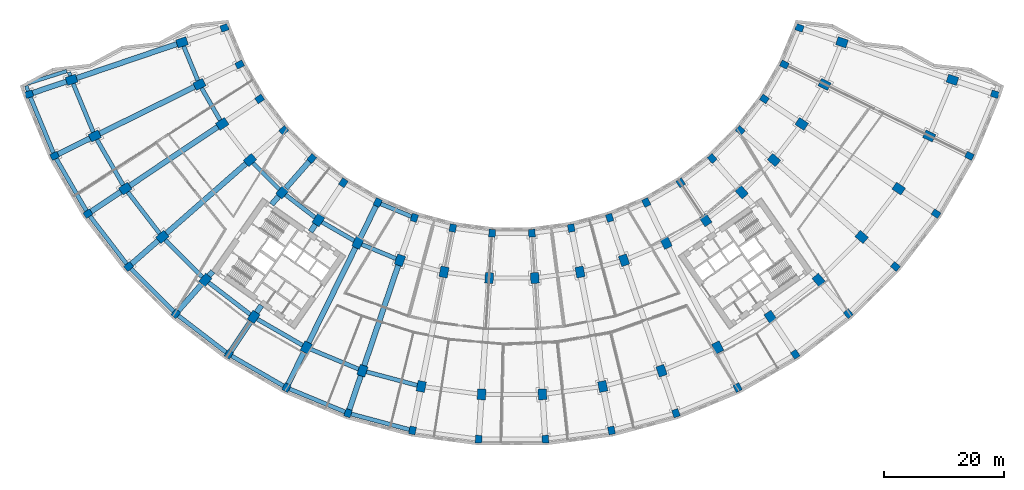
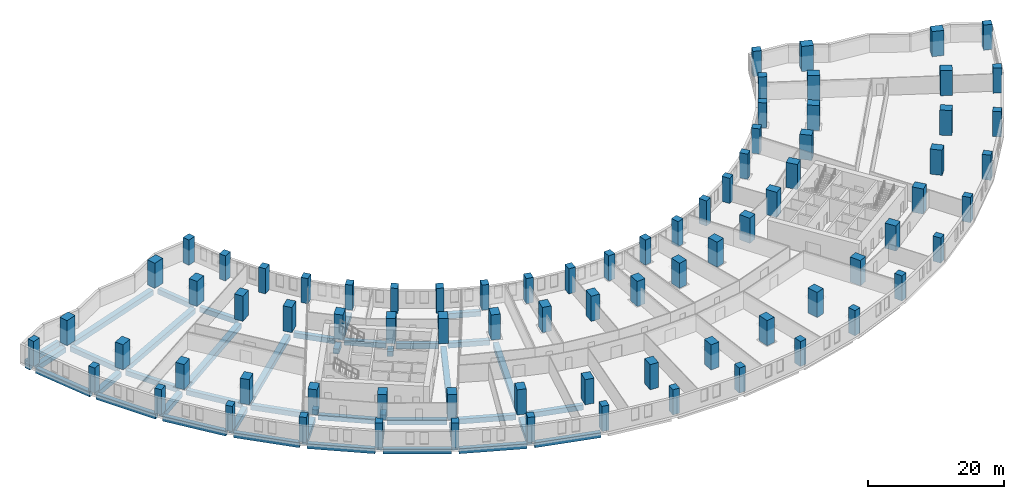
# One storey, part 1 of 20: 80 columns, 46 beams.
"""IFC4 building model written with IfcOpenShell, lengths in metres."""

from ifc_helpers import new_model, si_unit, direction, frame, origin, origin_2d, place, context, subcontext, project, spatial, rectangle, extrude, material, material_profile, profile_set, type_object, element, save


model = new_model("IFC4")

# Units and contexts
model_context = context("Model", 3, precision=1e-05, world=origin(), true_north=direction((0.0, 1.0)))
body_context = subcontext(model_context, "Body", "Model", "MODEL_VIEW")
ifc_project = project(units=[si_unit("LENGTHUNIT", "METRE"), si_unit("AREAUNIT", "SQUARE_METRE"), si_unit("VOLUMEUNIT", "CUBIC_METRE"), si_unit("PLANEANGLEUNIT", "RADIAN"), si_unit("MASSUNIT", "GRAM", prefix="KILO")], contexts=[model_context])

# Site, building, storey
site_placement = place(None, origin())
site = spatial("IfcSite", under=ifc_project, at=site_placement, CompositionType="ELEMENT")
building_placement = place(site_placement, origin())
building = spatial("IfcBuilding", under=site, at=building_placement, Name="Qamariyya Broadcast Tower", CompositionType="ELEMENT")
storey_placement = place(building_placement, frame((0.0, 0.0, 31.5)))
storey = spatial("IfcBuildingStorey", under=building, at=storey_placement, Name="L04", CompositionType="ELEMENT", Elevation=31.5)

# Columns
ifc_material_1 = material(Name="Concrete C70/85", Category="concrete")
ifc_material_profile_1 = material_profile(ifc_material_1, rectangle(XDim=1.10009765625, YDim=1.300048828125, at=origin_2d()))
ifc_profile_set_1 = profile_set([ifc_material_profile_1], Name="Concrete C70/85")
column_type_1 = type_object("IfcColumnType", Name="RC column 1100 x 1300 C70/85", PredefinedType="COLUMN", material=ifc_profile_set_1)
for number, where, z_axis, x_axis, name in (
    (1, (-48.056640625, -16.31298828125, 0.0), (0.0, 0.0, 1.0), (0.321439465303, -0.946930129495, 0.0), "Column C3 L04 A-R01"),
    (2, (-80.725830078125, -27.40283203125, 0.0), (0.0, 0.0, 1.0), (0.321439465303, -0.946930129495, 0.0), "Column C3 L04 D-R01"),
    (3, (-45.516357421875, -22.446044921875, 0.0), (0.0, 0.0, 1.0), (0.442288690219, -0.896872741533, 0.0), "Column C3 L04 A-R02"),
    (4, (-76.45849609375, -37.705078125, 0.0), (0.0, 0.0, 1.0), (0.442288690219, -0.896872741533, 0.0), "Column C3 L04 D-R02"),
    (5, (-42.197021484375, -28.195068359375, 0.0), (0.0, 0.0, 1.0), (0.55557023302, -0.831469612303, 0.0), "Column C3 L04 A-R03"),
    (6, (-70.8828125, -47.3623046875, 0.0), (0.0, 0.0, 1.0), (0.55557023302, -0.831469612303, 0.0), "Column C3 L04 D-R03"),
    (7, (-38.15576171875, -33.4619140625, 0.0), (0.0, 0.0, 1.0), (0.6593458151, -0.751839807479, 0.0), "Column C3 L04 A-R04"),
    (8, (-64.09423828125, -56.209228515625, 0.0), (0.0, 0.0, 1.0), (0.6593458151, -0.751839807479, 0.0), "Column C3 L04 D-R04"),
    (9, (-33.4619140625, -38.15576171875, 0.0), (0.0, 0.0, 1.0), (0.751839807479, -0.6593458151, 0.0), "Column C3 L04 A-R05"),
    (10, (-56.209228515625, -64.09423828125, 0.0), (0.0, 0.0, 1.0), (0.751839807479, -0.6593458151, 0.0), "Column C3 L04 D-R05"),
    (11, (-28.195068359375, -42.197021484375, 0.0), (0.0, 0.0, 1.0), (0.831469612303, -0.55557023302, 0.0), "Column C3 L04 A-R06"),
    (12, (-47.3623046875, -70.8828125, 0.0), (0.0, 0.0, 1.0), (0.831469612303, -0.55557023302, 0.0), "Column C3 L04 D-R06"),
    (13, (-22.446044921875, -45.516357421875, 0.0), (0.0, 0.0, 1.0), (0.896872741533, -0.442288690219, 0.0), "Column C3 L04 A-R07"),
    (14, (-37.705078125, -76.45849609375, 0.0), (0.0, 0.0, 1.0), (0.896872741533, -0.442288690219, 0.0), "Column C3 L04 D-R07"),
    (15, (-16.31298828125, -48.056640625, 0.0), (0.0, 0.0, 1.0), (0.946930129495, -0.321439465303, 0.0), "Column C3 L04 A-R08"),
    (16, (-27.40283203125, -80.725830078125, 0.0), (0.0, 0.0, 1.0), (0.946930129495, -0.321439465303, 0.0), "Column C3 L04 D-R08"),
    (17, (-9.90087890625, -49.77490234375, 0.0), (0.0, 0.0, 1.0), (0.980785280403, -0.195090322016, 0.0), "Column C3 L04 A-R09"),
    (18, (-16.63134765625, -83.612060546875, 0.0), (0.0, 0.0, 1.0), (0.980785280403, -0.195090322016, 0.0), "Column C3 L04 D-R09"),
    (19, (-3.319091796875, -50.641357421875, 0.0), (0.0, 0.0, 1.0), (0.997858923239, -0.06540312923, 0.0), "Column C3 L04 A-R10"),
    (20, (-5.57568359375, -85.0673828125, 0.0), (0.0, 0.0, 1.0), (0.997858923239, -0.06540312923, 0.0), "Column C3 L04 D-R10"),
    (21, (3.319091796875, -50.641357421875, 0.0), (0.0, 0.0, 1.0), (0.997858923239, 0.06540312923, 0.0), "Column C3 L04 A-R11"),
    (22, (5.57568359375, -85.0673828125, 0.0), (0.0, 0.0, 1.0), (0.997858923239, 0.06540312923, 0.0), "Column C3 L04 D-R11"),
    (23, (9.90087890625, -49.77490234375, 0.0), (0.0, 0.0, 1.0), (0.980785280403, 0.195090322016, 0.0), "Column C3 L04 A-R12"),
    (24, (16.63134765625, -83.612060546875, 0.0), (0.0, 0.0, 1.0), (0.980785280403, 0.195090322016, 0.0), "Column C3 L04 D-R12"),
    (25, (16.31298828125, -48.056640625, 0.0), (0.0, 0.0, 1.0), (0.946930129495, 0.321439465303, 0.0), "Column C3 L04 A-R13"),
    (26, (27.40283203125, -80.725830078125, 0.0), (0.0, 0.0, 1.0), (0.946930129495, 0.321439465303, 0.0), "Column C3 L04 D-R13"),
    (27, (22.446044921875, -45.516357421875, 0.0), (0.0, 0.0, 1.0), (0.896872741533, 0.442288690219, 0.0), "Column C3 L04 A-R14"),
    (28, (37.705078125, -76.45849609375, 0.0), (0.0, 0.0, 1.0), (0.896872741533, 0.442288690219, 0.0), "Column C3 L04 D-R14"),
    (29, (28.195068359375, -42.197021484375, 0.0), (0.0, 0.0, 1.0), (0.831469612303, 0.55557023302, 0.0), "Column C3 L04 A-R15"),
    (30, (47.3623046875, -70.8828125, 0.0), (0.0, 0.0, 1.0), (0.831469612303, 0.55557023302, 0.0), "Column C3 L04 D-R15"),
    (31, (33.4619140625, -38.15576171875, 0.0), (0.0, 0.0, 1.0), (0.751839807479, 0.6593458151, 0.0), "Column C3 L04 A-R16"),
    (32, (56.209228515625, -64.09423828125, 0.0), (0.0, 0.0, 1.0), (0.751839807479, 0.6593458151, 0.0), "Column C3 L04 D-R16"),
    (33, (38.15576171875, -33.4619140625, 0.0), (0.0, 0.0, 1.0), (0.6593458151, 0.751839807479, 0.0), "Column C3 L04 A-R17"),
    (34, (64.09423828125, -56.209228515625, 0.0), (0.0, 0.0, 1.0), (0.6593458151, 0.751839807479, 0.0), "Column C3 L04 D-R17"),
    (35, (42.197021484375, -28.195068359375, 0.0), (0.0, 0.0, 1.0), (0.55557023302, 0.831469612303, 0.0), "Column C3 L04 A-R18"),
    (36, (70.8828125, -47.3623046875, 0.0), (0.0, 0.0, 1.0), (0.55557023302, 0.831469612303, 0.0), "Column C3 L04 D-R18"),
    (37, (45.516357421875, -22.446044921875, 0.0), (0.0, 0.0, 1.0), (0.442288690219, 0.896872741533, 0.0), "Column C3 L04 A-R19"),
    (38, (76.45849609375, -37.705078125, 0.0), (0.0, 0.0, 1.0), (0.442288690219, 0.896872741533, 0.0), "Column C3 L04 D-R19"),
    (39, (48.056640625, -16.31298828125, 0.0), (0.0, 0.0, 1.0), (0.321439465303, 0.946930129495, 0.0), "Column C3 L04 A-R20"),
    (40, (80.725830078125, -27.40283203125, 0.0), (0.0, 0.0, 1.0), (0.321439465303, 0.946930129495, 0.0), "Column C3 L04 D-R20"),
):
    element("IfcColumn", number, at=place(storey_placement, frame(where, z_axis=z_axis, x_axis=x_axis)), inside=storey, type_object=column_type_1, Name=name, PredefinedType="COLUMN", context=body_context, shape_type="SweptSolid", body=[
        extrude(rectangle(XDim=1.10009765625, YDim=1.300048828125, at=origin_2d()), origin(), (0.0, 0.0, 1.0), 4.5),
    ])
ifc_material_profile_2 = material_profile(ifc_material_1, rectangle(XDim=1.39990234375, YDim=1.800048828125, at=origin_2d()))
ifc_profile_set_2 = profile_set([ifc_material_profile_2], Name="Concrete C70/85")
column_type_2 = type_object("IfcColumnType", Name="RC column 1400 x 1800 C70/85", PredefinedType="COLUMN", material=ifc_profile_set_2)
for number, where, z_axis, x_axis, name in (
    (41, (-55.15869140625, -18.723876953125, 0.0), (0.0, 0.0, 1.0), (0.321439465303, -0.946930129495, 0.0), "Column C4 L04 B-R01"),
    (42, (-73.623779296875, -24.991943359375, 0.0), (0.0, 0.0, 1.0), (0.321439465303, -0.946930129495, 0.0), "Column C4 L04 C-R01"),
    (43, (-52.242919921875, -25.763427734375, 0.0), (0.0, 0.0, 1.0), (0.442288690219, -0.896872741533, 0.0), "Column C4 L04 B-R02"),
    (44, (-69.73193359375, -34.387939453125, 0.0), (0.0, 0.0, 1.0), (0.442288690219, -0.896872741533, 0.0), "Column C4 L04 C-R02"),
    (45, (-48.43310546875, -32.362060546875, 0.0), (0.0, 0.0, 1.0), (0.55557023302, -0.831469612303, 0.0), "Column C4 L04 B-R03"),
    (46, (-64.646728515625, -43.195556640625, 0.0), (0.0, 0.0, 1.0), (0.55557023302, -0.831469612303, 0.0), "Column C4 L04 C-R03"),
    (47, (-43.794677734375, -38.406982421875, 0.0), (0.0, 0.0, 1.0), (0.6593458151, -0.751839807479, 0.0), "Column C4 L04 B-R04"),
    (48, (-58.45556640625, -51.26416015625, 0.0), (0.0, 0.0, 1.0), (0.6593458151, -0.751839807479, 0.0), "Column C4 L04 C-R04"),
    (49, (-38.406982421875, -43.794677734375, 0.0), (0.0, 0.0, 1.0), (0.751839807479, -0.6593458151, 0.0), "Column C4 L04 B-R05"),
    (50, (-51.26416015625, -58.45556640625, 0.0), (0.0, 0.0, 1.0), (0.751839807479, -0.6593458151, 0.0), "Column C4 L04 C-R05"),
    (51, (-32.362060546875, -48.43310546875, 0.0), (0.0, 0.0, 1.0), (0.831469612303, -0.55557023302, 0.0), "Column C4 L04 B-R06"),
    (52, (-43.195556640625, -64.646728515625, 0.0), (0.0, 0.0, 1.0), (0.831469612303, -0.55557023302, 0.0), "Column C4 L04 C-R06"),
    (53, (-25.763427734375, -52.242919921875, 0.0), (0.0, 0.0, 1.0), (0.896872741533, -0.442288690219, 0.0), "Column C4 L04 B-R07"),
    (54, (-34.387939453125, -69.73193359375, 0.0), (0.0, 0.0, 1.0), (0.896872741533, -0.442288690219, 0.0), "Column C4 L04 C-R07"),
    (55, (-18.723876953125, -55.15869140625, 0.0), (0.0, 0.0, 1.0), (0.946930129495, -0.321439465303, 0.0), "Column C4 L04 B-R08"),
    (56, (-24.991943359375, -73.623779296875, 0.0), (0.0, 0.0, 1.0), (0.946930129495, -0.321439465303, 0.0), "Column C4 L04 C-R08"),
    (57, (-11.364013671875, -57.130859375, 0.0), (0.0, 0.0, 1.0), (0.980785280403, -0.195090322016, 0.0), "Column C4 L04 B-R09"),
    (58, (-15.168212890625, -76.256103515625, 0.0), (0.0, 0.0, 1.0), (0.980785280403, -0.195090322016, 0.0), "Column C4 L04 C-R09"),
    (59, (-3.809814453125, -58.125244140625, 0.0), (0.0, 0.0, 1.0), (0.997858923239, -0.06540312923, 0.0), "Column C4 L04 B-R10"),
    (60, (-5.085205078125, -77.58349609375, 0.0), (0.0, 0.0, 1.0), (0.997858923239, -0.06540312923, 0.0), "Column C4 L04 C-R10"),
    (61, (3.809814453125, -58.125244140625, 0.0), (0.0, 0.0, 1.0), (0.997858923239, 0.06540312923, 0.0), "Column C4 L04 B-R11"),
    (62, (5.085205078125, -77.58349609375, 0.0), (0.0, 0.0, 1.0), (0.997858923239, 0.06540312923, 0.0), "Column C4 L04 C-R11"),
    (63, (11.364013671875, -57.130859375, 0.0), (0.0, 0.0, 1.0), (0.980785280403, 0.195090322016, 0.0), "Column C4 L04 B-R12"),
    (64, (15.168212890625, -76.256103515625, 0.0), (0.0, 0.0, 1.0), (0.980785280403, 0.195090322016, 0.0), "Column C4 L04 C-R12"),
    (65, (18.723876953125, -55.15869140625, 0.0), (0.0, 0.0, 1.0), (0.946930129495, 0.321439465303, 0.0), "Column C4 L04 B-R13"),
    (66, (24.991943359375, -73.623779296875, 0.0), (0.0, 0.0, 1.0), (0.946930129495, 0.321439465303, 0.0), "Column C4 L04 C-R13"),
    (67, (25.763427734375, -52.242919921875, 0.0), (0.0, 0.0, 1.0), (0.896872741533, 0.442288690219, 0.0), "Column C4 L04 B-R14"),
    (68, (34.387939453125, -69.73193359375, 0.0), (0.0, 0.0, 1.0), (0.896872741533, 0.442288690219, 0.0), "Column C4 L04 C-R14"),
    (69, (32.362060546875, -48.43310546875, 0.0), (0.0, 0.0, 1.0), (0.831469612303, 0.55557023302, 0.0), "Column C4 L04 B-R15"),
    (70, (43.195556640625, -64.646728515625, 0.0), (0.0, 0.0, 1.0), (0.831469612303, 0.55557023302, 0.0), "Column C4 L04 C-R15"),
    (71, (38.406982421875, -43.794677734375, 0.0), (0.0, 0.0, 1.0), (0.751839807479, 0.6593458151, 0.0), "Column C4 L04 B-R16"),
    (72, (51.26416015625, -58.45556640625, 0.0), (0.0, 0.0, 1.0), (0.751839807479, 0.6593458151, 0.0), "Column C4 L04 C-R16"),
    (73, (43.794677734375, -38.406982421875, 0.0), (0.0, 0.0, 1.0), (0.6593458151, 0.751839807479, 0.0), "Column C4 L04 B-R17"),
    (74, (58.45556640625, -51.26416015625, 0.0), (0.0, 0.0, 1.0), (0.6593458151, 0.751839807479, 0.0), "Column C4 L04 C-R17"),
    (75, (48.43310546875, -32.362060546875, 0.0), (0.0, 0.0, 1.0), (0.55557023302, 0.831469612303, 0.0), "Column C4 L04 B-R18"),
    (76, (64.646728515625, -43.195556640625, 0.0), (0.0, 0.0, 1.0), (0.55557023302, 0.831469612303, 0.0), "Column C4 L04 C-R18"),
    (77, (52.242919921875, -25.763427734375, 0.0), (0.0, 0.0, 1.0), (0.442288690219, 0.896872741533, 0.0), "Column C4 L04 B-R19"),
    (78, (69.73193359375, -34.387939453125, 0.0), (0.0, 0.0, 1.0), (0.442288690219, 0.896872741533, 0.0), "Column C4 L04 C-R19"),
    (79, (55.15869140625, -18.723876953125, 0.0), (0.0, 0.0, 1.0), (0.321439465303, 0.946930129495, 0.0), "Column C4 L04 B-R20"),
    (80, (73.623779296875, -24.991943359375, 0.0), (0.0, 0.0, 1.0), (0.321439465303, 0.946930129495, 0.0), "Column C4 L04 C-R20"),
):
    element("IfcColumn", number, at=place(storey_placement, frame(where, z_axis=z_axis, x_axis=x_axis)), inside=storey, type_object=column_type_2, Name=name, PredefinedType="COLUMN", context=body_context, shape_type="SweptSolid", body=[
        extrude(rectangle(XDim=1.39990234375, YDim=1.800048828125, at=origin_2d()), origin(), (0.0, 0.0, 1.0), 4.5),
    ])

# Beams
ifc_material_2 = material(Name="Concrete C50/60", Category="concrete")
ifc_material_profile_3 = material_profile(ifc_material_2, rectangle(XDim=0.699951171875, YDim=0.89990234375, at=origin_2d()))
ifc_profile_set_3 = profile_set([ifc_material_profile_3], Name="Concrete C50/60")
beam_type_1 = type_object("IfcBeamType", Name="RC edge beam 700 x 900 C50/60", PredefinedType="SPANDREL", material=ifc_profile_set_3)
beam_1_placement = place(storey_placement, frame((-21.93701171875, -45.727294921875, -0.85009765625), z_axis=(0.92389160204, -0.382654292645, 0.0), x_axis=(0.382654292645, 0.92389160204, 0.0)))
element("IfcBeam", 81, at=beam_1_placement, inside=storey, type_object=beam_type_1, Name="Edge beam B2 L04 A R07-R08", PredefinedType="SPANDREL", context=body_context, shape_type="SweptSolid", body=[
    extrude(rectangle(XDim=0.699951171875, YDim=0.89990234375, at=origin_2d()), origin(), (0.0, 0.0, 1.0), 5.5361328125),
])
for number, where, z_axis, x_axis, name in (
    (82, (-54.89013671875, -19.3720703125, -0.85009765625), (0.38268477858, -0.92387897489, 0.0), (0.92387897489, 0.38268477858, 0.0), "Edge beam B2 L04 B R01-R02"),
    (83, (-51.89208984375, -26.370849609375, -0.85009765625), (0.499995558535, -0.86602796805, 0.0), (0.86602796805, 0.499995558535, 0.0), "Edge beam B2 L04 B R02-R03"),
):
    element("IfcBeam", number, at=place(storey_placement, frame(where, z_axis=z_axis, x_axis=x_axis)), inside=storey, type_object=beam_type_1, Name=name, PredefinedType="SPANDREL", context=body_context, shape_type="SweptSolid", body=[
        extrude(rectangle(XDim=0.699951171875, YDim=0.89990234375, at=origin_2d()), origin(), (0.0, 0.0, 1.0), 6.21630859375),
    ])
for number, where, z_axis, x_axis, name in (
    (84, (-43.298583984375, -38.90283203125, -0.85009765625), (0.707106781187, -0.707106781187, 0.0), (0.707106781187, 0.707106781187, 0.0), "Edge beam B2 L04 B R04-R05"),
    (85, (-37.850341796875, -44.2216796875, -0.85009765625), (0.793349024913, -0.608767052878, 0.0), (0.608767052878, 0.793349024913, 0.0), "Edge beam B2 L04 B R05-R06"),
):
    element("IfcBeam", number, at=place(storey_placement, frame(where, z_axis=z_axis, x_axis=x_axis)), inside=storey, type_object=beam_type_1, Name=name, PredefinedType="SPANDREL", context=body_context, shape_type="SweptSolid", body=[
        extrude(rectangle(XDim=0.699951171875, YDim=0.89990234375, at=origin_2d()), origin(), (0.0, 0.0, 1.0), 6.216552734375),
    ])
for number, where, z_axis, x_axis, name in (
    (86, (-31.75439453125, -48.783935546875, -0.85009765625), (0.86602796805, -0.499995558535, 0.0), (0.499995558535, 0.86602796805, 0.0), "Edge beam B2 L04 B R06-R07"),
    (87, (-25.115234375, -52.51123046875, -0.85009765625), (0.92387897489, -0.38268477858, 0.0), (0.38268477858, 0.92387897489, 0.0), "Edge beam B2 L04 B R07-R08"),
):
    element("IfcBeam", number, at=place(storey_placement, frame(where, z_axis=z_axis, x_axis=x_axis)), inside=storey, type_object=beam_type_1, Name=name, PredefinedType="SPANDREL", context=body_context, shape_type="SweptSolid", body=[
        extrude(rectangle(XDim=0.699951171875, YDim=0.89990234375, at=origin_2d()), origin(), (0.0, 0.0, 1.0), 6.21630859375),
    ])
beam_2_placement = place(storey_placement, frame((-73.35546875, -25.64013671875, -0.85009765625), z_axis=(0.38270841035, -0.923869185896, 0.0), x_axis=(0.923869185896, 0.38270841035, 0.0)))
element("IfcBeam", 88, at=beam_2_placement, inside=storey, type_object=beam_type_1, Name="Edge beam B2 L04 C R01-R02", PredefinedType="SPANDREL", context=body_context, shape_type="SweptSolid", body=[
    extrude(rectangle(XDim=0.699951171875, YDim=0.89990234375, at=origin_2d()), origin(), (0.0, 0.0, 1.0), 8.76708984375),
])
beam_3_placement = place(storey_placement, frame((-69.381103515625, -34.995361328125, -0.85009765625), z_axis=(0.499987607361, -0.86603255856, 0.0), x_axis=(0.86603255856, 0.499987607361, 0.0)))
element("IfcBeam", 89, at=beam_3_placement, inside=storey, type_object=beam_type_1, Name="Edge beam B2 L04 C R02-R03", PredefinedType="SPANDREL", context=body_context, shape_type="SweptSolid", body=[
    extrude(rectangle(XDim=0.699951171875, YDim=0.89990234375, at=origin_2d()), origin(), (0.0, 0.0, 1.0), 8.767333984375),
])
for number, where, z_axis, x_axis, name in (
    (90, (-64.2197265625, -43.752197265625, -0.85009765625), (0.608772321187, -0.79334498231, 0.0), (0.79334498231, 0.608772321187, 0.0), "Edge beam B2 L04 C R03-R04"),
    (91, (-57.95947265625, -51.76025390625, -0.85009765625), (0.707106781187, -0.707106781187, 0.0), (0.707106781187, 0.707106781187, 0.0), "Edge beam B2 L04 C R04-R05"),
    (92, (-50.70751953125, -58.882568359375, -0.85009765625), (0.79334498231, -0.608772321187, 0.0), (0.608772321187, 0.79334498231, 0.0), "Edge beam B2 L04 C R05-R06"),
):
    element("IfcBeam", number, at=place(storey_placement, frame(where, z_axis=z_axis, x_axis=x_axis)), inside=storey, type_object=beam_type_1, Name=name, PredefinedType="SPANDREL", context=body_context, shape_type="SweptSolid", body=[
        extrude(rectangle(XDim=0.699951171875, YDim=0.89990234375, at=origin_2d()), origin(), (0.0, 0.0, 1.0), 8.76708984375),
    ])
beam_4_placement = place(storey_placement, frame((-42.588134765625, -64.99755859375, -0.85009765625), z_axis=(0.86603255856, -0.499987607361, 0.0), x_axis=(0.499987607361, 0.86603255856, 0.0)))
element("IfcBeam", 93, at=beam_4_placement, inside=storey, type_object=beam_type_1, Name="Edge beam B2 L04 C R06-R07", PredefinedType="SPANDREL", context=body_context, shape_type="SweptSolid", body=[
    extrude(rectangle(XDim=0.699951171875, YDim=0.89990234375, at=origin_2d()), origin(), (0.0, 0.0, 1.0), 8.767333984375),
])
for number, where, z_axis, x_axis, name in (
    (94, (-33.73974609375, -70.000244140625, -0.85009765625), (0.923869185896, -0.38270841035, 0.0), (0.38270841035, 0.923869185896, 0.0), "Edge beam B2 L04 C R07-R08"),
    (95, (-24.314208984375, -73.805419921875, -0.85009765625), (0.965926422845, -0.258816818714, 0.0), (0.258816818714, 0.965926422845, 0.0), "Edge beam B2 L04 C R08-R09"),
):
    element("IfcBeam", number, at=place(storey_placement, frame(where, z_axis=z_axis, x_axis=x_axis)), inside=storey, type_object=beam_type_1, Name=name, PredefinedType="SPANDREL", context=body_context, shape_type="SweptSolid", body=[
        extrude(rectangle(XDim=0.699951171875, YDim=0.89990234375, at=origin_2d()), origin(), (0.0, 0.0, 1.0), 8.76708984375),
    ])
for number, where, z_axis, x_axis, name in (
    (96, (-80.514892578125, -27.911865234375, -0.85009765625), (0.382677229034, -0.923882101991, 0.0), (0.923882101991, 0.382677229034, 0.0), "Edge beam B2 L04 D R01-R02"),
    (97, (-76.182861328125, -38.182373046875, -0.85009765625), (0.499995851058, -0.866027799164, 0.0), (0.866027799164, 0.499995851058, 0.0), "Edge beam B2 L04 D R02-R03"),
):
    element("IfcBeam", number, at=place(storey_placement, frame(where, z_axis=z_axis, x_axis=x_axis)), inside=storey, type_object=beam_type_1, Name=name, PredefinedType="SPANDREL", context=body_context, shape_type="SweptSolid", body=[
        extrude(rectangle(XDim=0.699951171875, YDim=0.89990234375, at=origin_2d()), origin(), (0.0, 0.0, 1.0), 10.048828125),
    ])
for number, where, z_axis, x_axis, name in (
    (98, (-70.54736328125, -47.799560546875, -0.85009765625), (0.608760468816, -0.793354077072, 0.0), (0.793354077072, 0.608760468816, 0.0), "Edge beam B2 L04 D R03-R04"),
    (99, (-63.70458984375, -56.598876953125, -0.85009765625), (0.707106781187, -0.707106781187, 0.0), (0.707106781187, 0.707106781187, 0.0), "Edge beam B2 L04 D R04-R05"),
    (100, (-55.77197265625, -64.429931640625, -0.85009765625), (0.793354077072, -0.608760468816, 0.0), (0.608760468816, 0.793354077072, 0.0), "Edge beam B2 L04 D R05-R06"),
):
    element("IfcBeam", number, at=place(storey_placement, frame(where, z_axis=z_axis, x_axis=x_axis)), inside=storey, type_object=beam_type_1, Name=name, PredefinedType="SPANDREL", context=body_context, shape_type="SweptSolid", body=[
        extrude(rectangle(XDim=0.699951171875, YDim=0.89990234375, at=origin_2d()), origin(), (0.0, 0.0, 1.0), 10.049072265625),
    ])
for number, where, z_axis, x_axis, name in (
    (101, (-46.885009765625, -71.158447265625, -0.85009765625), (0.866027799164, -0.499995851058, 0.0), (0.499995851058, 0.866027799164, 0.0), "Edge beam B2 L04 D R06-R07"),
    (102, (-37.19580078125, -76.66943359375, -0.85009765625), (0.923882101991, -0.382677229034, 0.0), (0.382677229034, 0.923882101991, 0.0), "Edge beam B2 L04 D R07-R08"),
    (103, (-26.870361328125, -80.868408203125, -0.85009765625), (0.96592657939, -0.258816234475, 0.0), (0.258816234475, 0.96592657939, 0.0), "Edge beam B2 L04 D R08-R09"),
):
    element("IfcBeam", number, at=place(storey_placement, frame(where, z_axis=z_axis, x_axis=x_axis)), inside=storey, type_object=beam_type_1, Name=name, PredefinedType="SPANDREL", context=body_context, shape_type="SweptSolid", body=[
        extrude(rectangle(XDim=0.699951171875, YDim=0.89990234375, at=origin_2d()), origin(), (0.0, 0.0, 1.0), 10.048828125),
    ])
ifc_material_profile_4 = material_profile(ifc_material_2, rectangle(XDim=0.60009765625, YDim=0.89990234375, at=origin_2d()))
ifc_profile_set_4 = profile_set([ifc_material_profile_4], Name="Concrete C50/60")
beam_type_2 = type_object("IfcBeamType", Name="RC horn beam 600 x 900 C50/60", PredefinedType="BEAM", material=ifc_profile_set_4)
beam_5_placement = place(storey_placement, frame((-73.841796875, -24.32666015625, -0.85009765625), z_axis=(-0.311677221784, 0.95018803898, 0.0), x_axis=(-0.95018803898, -0.311677221784, 0.0)))
element("IfcBeam", 104, at=beam_5_placement, inside=storey, type_object=beam_type_2, Name="Horn beam B3 L04 W C-R01", PredefinedType="BEAM", context=body_context, shape_type="SweptSolid", body=[
    extrude(rectangle(XDim=0.60009765625, YDim=0.89990234375, at=origin_2d()), origin(), (0.0, 0.0, 1.0), 0.628173828125),
])
beam_6_placement = place(storey_placement, frame((-80.897216796875, -26.880126953125, -0.85009765625), z_axis=(-0.31136908678, 0.95028905697, 0.0), x_axis=(-0.95028905697, -0.31136908678, 0.0)))
element("IfcBeam", 105, at=beam_6_placement, inside=storey, type_object=beam_type_2, Name="Horn beam B3 L04 W D-R01", PredefinedType="BEAM", context=body_context, shape_type="SweptSolid", body=[
    extrude(rectangle(XDim=0.60009765625, YDim=0.89990234375, at=origin_2d()), origin(), (0.0, 0.0, 1.0), 0.935302734375),
])
ifc_material_profile_5 = material_profile(ifc_material_2, rectangle(XDim=0.60009765625, YDim=0.89990234375, at=origin_2d()))
ifc_profile_set_5 = profile_set([ifc_material_profile_5], Name="Concrete C50/60")
beam_type_3 = type_object("IfcBeamType", Name="RC horn cap beam 600 x 900 C50/60", PredefinedType="BEAM", material=ifc_profile_set_5)
beam_7_placement = place(storey_placement, frame((-74.4169921875, -23.53515625, -0.85009765625), z_axis=(-0.953456380288, -0.301530978321, 0.0), x_axis=(0.301530978321, -0.953456380288, 0.0)))
element("IfcBeam", 106, at=beam_7_placement, inside=storey, type_object=beam_type_3, Name="Horn cap beam B4 L04 W C-D", PredefinedType="BEAM", context=body_context, shape_type="SweptSolid", body=[
    extrude(rectangle(XDim=0.60009765625, YDim=0.89990234375, at=origin_2d()), origin(), (0.0, 0.0, 1.0), 6.89990234375),
])
ifc_material_profile_6 = material_profile(ifc_material_2, rectangle(XDim=0.89990234375, YDim=0.89990234375, at=origin_2d()))
ifc_profile_set_6 = profile_set([ifc_material_profile_6], Name="Concrete C50/60")
beam_type_4 = type_object("IfcBeamType", Name="RC radial beam 900 x 900 C50/60", PredefinedType="BEAM", material=ifc_profile_set_6)
beam_8_placement = place(storey_placement, frame((-56.010986328125, -19.01318359375, -0.85009765625), z_axis=(-0.946929601856, -0.321441019674, 0.0), x_axis=(0.321441019674, -0.946929601856, 0.0)))
element("IfcBeam", 107, at=beam_8_placement, inside=storey, type_object=beam_type_4, Name="Radial beam B1 L04 R01 B-C", PredefinedType="BEAM", context=body_context, shape_type="SweptSolid", body=[
    extrude(rectangle(XDim=0.89990234375, YDim=0.89990234375, at=origin_2d()), origin(), (0.0, 0.0, 1.0), 17.699951171875),
])
beam_9_placement = place(storey_placement, frame((-74.47607421875, -25.28125, -0.85009765625), z_axis=(-0.946929197619, -0.32144221051, 0.0), x_axis=(0.32144221051, -0.946929197619, 0.0)))
element("IfcBeam", 108, at=beam_9_placement, inside=storey, type_object=beam_type_4, Name="Radial beam B1 L04 R01 C-D", PredefinedType="BEAM", context=body_context, shape_type="SweptSolid", body=[
    extrude(rectangle(XDim=0.89990234375, YDim=0.89990234375, at=origin_2d()), origin(), (0.0, 0.0, 1.0), 5.949951171875),
])
beam_10_placement = place(storey_placement, frame((-53.050048828125, -26.161376953125, -0.85009765625), z_axis=(-0.896868921808, -0.442296435771, 0.0), x_axis=(0.442296435771, -0.896868921808, 0.0)))
element("IfcBeam", 109, at=beam_10_placement, inside=storey, type_object=beam_type_4, Name="Radial beam B1 L04 R02 B-C", PredefinedType="BEAM", context=body_context, shape_type="SweptSolid", body=[
    extrude(rectangle(XDim=0.89990234375, YDim=0.89990234375, at=origin_2d()), origin(), (0.0, 0.0, 1.0), 17.699951171875),
])
beam_11_placement = place(storey_placement, frame((-70.5390625, -34.785888671875, -0.85009765625), z_axis=(-0.896859276255, -0.442315994054, 0.0), x_axis=(0.442315994054, -0.896859276255, 0.0)))
element("IfcBeam", 110, at=beam_11_placement, inside=storey, type_object=beam_type_4, Name="Radial beam B1 L04 R02 C-D", PredefinedType="BEAM", context=body_context, shape_type="SweptSolid", body=[
    extrude(rectangle(XDim=0.89990234375, YDim=0.89990234375, at=origin_2d()), origin(), (0.0, 0.0, 1.0), 5.9501953125),
])
beam_12_placement = place(storey_placement, frame((-49.181396484375, -32.862060546875, -0.85009765625), z_axis=(-0.831472648212, -0.555565689433, 0.0), x_axis=(0.555565689433, -0.831472648212, 0.0)))
element("IfcBeam", 111, at=beam_12_placement, inside=storey, type_object=beam_type_4, Name="Radial beam B1 L04 R03 B-C", PredefinedType="BEAM", context=body_context, shape_type="SweptSolid", body=[
    extrude(rectangle(XDim=0.89990234375, YDim=0.89990234375, at=origin_2d()), origin(), (0.0, 0.0, 1.0), 17.699951171875),
])
beam_13_placement = place(storey_placement, frame((-65.39501953125, -43.695556640625, -0.85009765625), z_axis=(-0.831469080044, -0.555571029599, 0.0), x_axis=(0.555571029599, -0.831469080044, 0.0)))
element("IfcBeam", 112, at=beam_13_placement, inside=storey, type_object=beam_type_4, Name="Radial beam B1 L04 R03 C-D", PredefinedType="BEAM", context=body_context, shape_type="SweptSolid", body=[
    extrude(rectangle(XDim=0.89990234375, YDim=0.89990234375, at=origin_2d()), origin(), (0.0, 0.0, 1.0), 5.949951171875),
])
beam_14_placement = place(storey_placement, frame((-44.471435546875, -39.000244140625, -0.85009765625), z_axis=(-0.751835404461, -0.659350835746, 0.0), x_axis=(0.659350835746, -0.751835404461, 0.0)))
element("IfcBeam", 113, at=beam_14_placement, inside=storey, type_object=beam_type_4, Name="Radial beam B1 L04 R04 B-C", PredefinedType="BEAM", context=body_context, shape_type="SweptSolid", body=[
    extrude(rectangle(XDim=0.89990234375, YDim=0.89990234375, at=origin_2d()), origin(), (0.0, 0.0, 1.0), 17.699951171875),
])
beam_15_placement = place(storey_placement, frame((-59.132080078125, -51.857666015625, -0.85009765625), z_axis=(-0.75185438517, -0.659329192059, 0.0), x_axis=(0.659329192059, -0.75185438517, 0.0)))
element("IfcBeam", 114, at=beam_15_placement, inside=storey, type_object=beam_type_4, Name="Radial beam B1 L04 R04 C-D", PredefinedType="BEAM", context=body_context, shape_type="SweptSolid", body=[
    extrude(rectangle(XDim=0.89990234375, YDim=0.89990234375, at=origin_2d()), origin(), (0.0, 0.0, 1.0), 5.9501953125),
])
beam_16_placement = place(storey_placement, frame((-33.890380859375, -38.64453125, -0.85009765625), z_axis=(-0.659349532377, -0.751836547498, 0.0), x_axis=(0.751836547498, -0.659349532377, 0.0)))
element("IfcBeam", 115, at=beam_16_placement, inside=storey, type_object=beam_type_4, Name="Radial beam B1 L04 R05 A-B", PredefinedType="BEAM", context=body_context, shape_type="SweptSolid", body=[
    extrude(rectangle(XDim=0.89990234375, YDim=0.89990234375, at=origin_2d()), origin(), (0.0, 0.0, 1.0), 5.949951171875),
])
beam_17_placement = place(storey_placement, frame((-39.000244140625, -44.471435546875, -0.85009765625), z_axis=(-0.65939107141, -0.751800116351, 0.0), x_axis=(0.751800116351, -0.65939107141, 0.0)))
element("IfcBeam", 116, at=beam_17_placement, inside=storey, type_object=beam_type_4, Name="Radial beam B1 L04 R05 B-C", PredefinedType="BEAM", context=body_context, shape_type="SweptSolid", body=[
    extrude(rectangle(XDim=0.89990234375, YDim=0.89990234375, at=origin_2d()), origin(), (0.0, 0.0, 1.0), 1.8125),
])
beam_18_placement = place(storey_placement, frame((-50.011962890625, -57.027587890625, -0.85009765625), z_axis=(-0.659282746956, -0.751895112077, 0.0), x_axis=(0.751895112077, -0.659282746956, 0.0)))
element("IfcBeam", 117, at=beam_18_placement, inside=storey, type_object=beam_type_4, Name="Radial beam B1 L04 R05 B-C", PredefinedType="BEAM", context=body_context, shape_type="SweptSolid", body=[
    extrude(rectangle(XDim=0.89990234375, YDim=0.89990234375, at=origin_2d()), origin(), (0.0, 0.0, 1.0), 0.9990234375),
])
beam_19_placement = place(storey_placement, frame((-51.857666015625, -59.132080078125, -0.85009765625), z_axis=(-0.659329192059, -0.75185438517, 0.0), x_axis=(0.75185438517, -0.659329192059, 0.0)))
element("IfcBeam", 118, at=beam_19_placement, inside=storey, type_object=beam_type_4, Name="Radial beam B1 L04 R05 C-D", PredefinedType="BEAM", context=body_context, shape_type="SweptSolid", body=[
    extrude(rectangle(XDim=0.89990234375, YDim=0.89990234375, at=origin_2d()), origin(), (0.0, 0.0, 1.0), 5.9501953125),
])
beam_20_placement = place(storey_placement, frame((-32.862060546875, -49.181396484375, -0.85009765625), z_axis=(-0.555469378272, -0.831536992443, 0.0), x_axis=(0.831536992443, -0.555469378272, 0.0)))
element("IfcBeam", 119, at=beam_20_placement, inside=storey, type_object=beam_type_4, Name="Radial beam B1 L04 R06 B-C", PredefinedType="BEAM", context=body_context, shape_type="SweptSolid", body=[
    extrude(rectangle(XDim=0.89990234375, YDim=0.89990234375, at=origin_2d()), origin(), (0.0, 0.0, 1.0), 1.464599609375),
])
beam_21_placement = place(storey_placement, frame((-41.89990234375, -62.707763671875, -0.85009765625), z_axis=(-0.555604740558, -0.831446554067, 0.0), x_axis=(0.831446554067, -0.555604740558, 0.0)))
element("IfcBeam", 120, at=beam_21_placement, inside=storey, type_object=beam_type_4, Name="Radial beam B1 L04 R06 B-C", PredefinedType="BEAM", context=body_context, shape_type="SweptSolid", body=[
    extrude(rectangle(XDim=0.89990234375, YDim=0.89990234375, at=origin_2d()), origin(), (0.0, 0.0, 1.0), 1.43212890625),
])
beam_22_placement = place(storey_placement, frame((-43.695556640625, -65.39501953125, -0.85009765625), z_axis=(-0.555571029599, -0.831469080044, 0.0), x_axis=(0.831469080044, -0.555571029599, 0.0)))
element("IfcBeam", 121, at=beam_22_placement, inside=storey, type_object=beam_type_4, Name="Radial beam B1 L04 R06 C-D", PredefinedType="BEAM", context=body_context, shape_type="SweptSolid", body=[
    extrude(rectangle(XDim=0.89990234375, YDim=0.89990234375, at=origin_2d()), origin(), (0.0, 0.0, 1.0), 5.949951171875),
])
beam_23_placement = place(storey_placement, frame((-22.733642578125, -46.099365234375, -0.85009765625), z_axis=(-0.442299266236, -0.896867525941, 0.0), x_axis=(0.896867525941, -0.442299266236, 0.0)))
element("IfcBeam", 122, at=beam_23_placement, inside=storey, type_object=beam_type_4, Name="Radial beam B1 L04 R07 A-B", PredefinedType="BEAM", context=body_context, shape_type="SweptSolid", body=[
    extrude(rectangle(XDim=0.89990234375, YDim=0.89990234375, at=origin_2d()), origin(), (0.0, 0.0, 1.0), 5.94970703125),
])
beam_24_placement = place(storey_placement, frame((-26.161376953125, -53.050048828125, -0.85009765625), z_axis=(-0.442296435771, -0.896868921808, 0.0), x_axis=(0.896868921808, -0.442296435771, 0.0)))
element("IfcBeam", 123, at=beam_24_placement, inside=storey, type_object=beam_type_4, Name="Radial beam B1 L04 R07 B-C", PredefinedType="BEAM", context=body_context, shape_type="SweptSolid", body=[
    extrude(rectangle(XDim=0.89990234375, YDim=0.89990234375, at=origin_2d()), origin(), (0.0, 0.0, 1.0), 17.699951171875),
])
beam_25_placement = place(storey_placement, frame((-34.785888671875, -70.5390625, -0.85009765625), z_axis=(-0.442315994054, -0.896859276255, 0.0), x_axis=(0.896859276255, -0.442315994054, 0.0)))
element("IfcBeam", 124, at=beam_25_placement, inside=storey, type_object=beam_type_4, Name="Radial beam B1 L04 R07 C-D", PredefinedType="BEAM", context=body_context, shape_type="SweptSolid", body=[
    extrude(rectangle(XDim=0.89990234375, YDim=0.89990234375, at=origin_2d()), origin(), (0.0, 0.0, 1.0), 5.9501953125),
])
beam_26_placement = place(storey_placement, frame((-19.01318359375, -56.010986328125, -0.85009765625), z_axis=(-0.321441019674, -0.946929601856, 0.0), x_axis=(0.946929601856, -0.321441019674, 0.0)))
element("IfcBeam", 125, at=beam_26_placement, inside=storey, type_object=beam_type_4, Name="Radial beam B1 L04 R08 B-C", PredefinedType="BEAM", context=body_context, shape_type="SweptSolid", body=[
    extrude(rectangle(XDim=0.89990234375, YDim=0.89990234375, at=origin_2d()), origin(), (0.0, 0.0, 1.0), 17.699951171875),
])
beam_27_placement = place(storey_placement, frame((-25.28125, -74.47607421875, -0.85009765625), z_axis=(-0.32144221051, -0.946929197619, 0.0), x_axis=(0.946929197619, -0.32144221051, 0.0)))
element("IfcBeam", 126, at=beam_27_placement, inside=storey, type_object=beam_type_4, Name="Radial beam B1 L04 R08 C-D", PredefinedType="BEAM", context=body_context, shape_type="SweptSolid", body=[
    extrude(rectangle(XDim=0.89990234375, YDim=0.89990234375, at=origin_2d()), origin(), (0.0, 0.0, 1.0), 5.949951171875),
])

save(model, "model.ifc")
